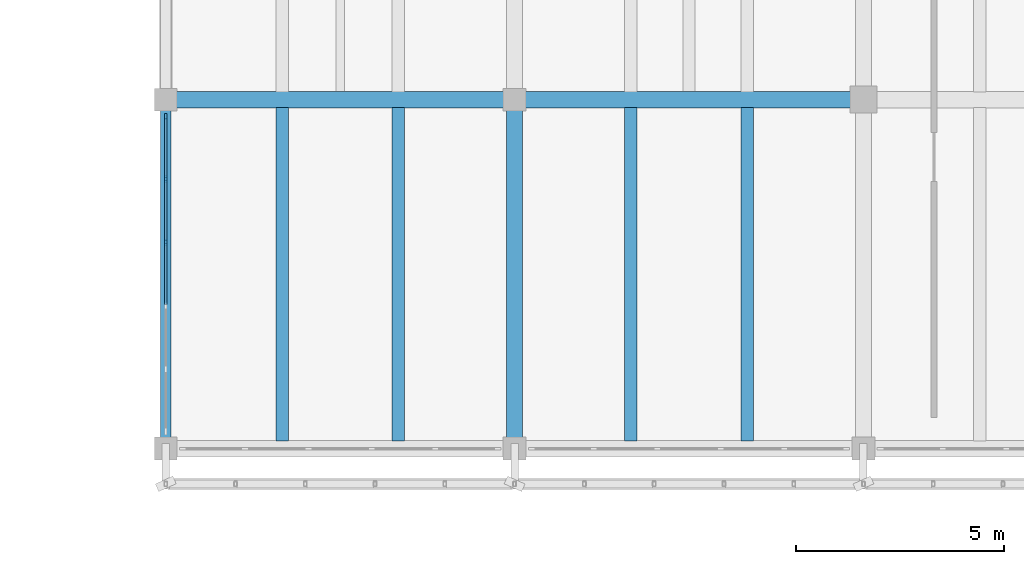
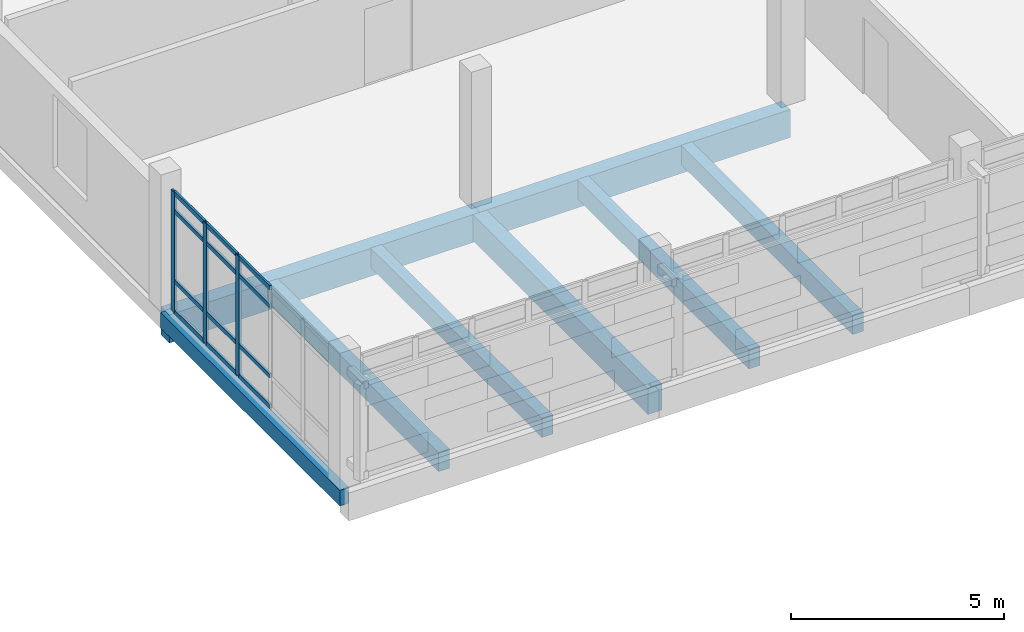
# One storey, part 42 of 117: 15 members, 8 beams, 1 element without a shape of its own.
"""IFC4 building model written with IfcOpenShell, lengths in metres."""

from ifc_helpers import new_model, si_unit, direction, frame, origin, origin_2d, place, context, subcontext, project, spatial, rectangle, extrude, material, material_profile, profile_set, type_object, element, aggregate, save


model = new_model("IFC4")

# Units and contexts
model_context = context("Model", 3, precision=1e-05, world=origin(), true_north=direction((0.0, 1.0)))
body_context = subcontext(model_context, "Body", "Model", "MODEL_VIEW")
ifc_project = project(units=[si_unit("LENGTHUNIT", "METRE"), si_unit("AREAUNIT", "SQUARE_METRE"), si_unit("VOLUMEUNIT", "CUBIC_METRE"), si_unit("PLANEANGLEUNIT", "RADIAN"), si_unit("MASSUNIT", "GRAM", prefix="KILO")], contexts=[model_context])

# Site, building, storey
site_placement = place(None, origin())
site = spatial("IfcSite", under=ifc_project, at=site_placement, CompositionType="ELEMENT")
building_placement = place(site_placement, origin())
building = spatial("IfcBuilding", under=site, at=building_placement, Name="Cinderway Yard Community Centre", CompositionType="ELEMENT")
storey_placement = place(building_placement, frame((0.0, 0.0, 9.0)))
storey = spatial("IfcBuildingStorey", under=building, at=storey_placement, Name="L02", CompositionType="ELEMENT", Elevation=9.0)

# Curtain wall, members
ifc_material_1 = material(Name="Aluminium 6063-T6", Category="aluminium")
curtain_wall_type = type_object("IfcCurtainWallType", Name="ENV-CW-TYPE-29", PredefinedType="USERDEFINED", material=ifc_material_1)
curtain_wall_placement = place(storey_placement, origin())
curtain_wall = element("IfcCurtainWall", 1, at=curtain_wall_placement, inside=storey, type_object=curtain_wall_type, Name="V4 West End Curtain Wall ENV-CW-L02-ST-0159", ObjectType="GLAZED CURTAIN WALL", PredefinedType="USERDEFINED")
ifc_material_profile_1 = material_profile(ifc_material_1, rectangle(XDim=0.06005859375, YDim=0.159912109375, at=origin_2d()), Name="Aluminium 6063-T6")
ifc_profile_set_1 = profile_set([ifc_material_profile_1], Name="Aluminium 6063-T6")
member_type_1 = type_object("IfcMemberType", Name="ENV-CW-MULL-150", PredefinedType="MULLION", material=ifc_profile_set_1)
member_1_placement = place(storey_placement, frame((41.60009765625, 94.964111328125, 0.0), z_axis=(0.0, 0.0, 1.0), x_axis=(-1.0, 0.0, 0.0)))
member_1 = element("IfcMember", 2, at=member_1_placement, type_object=member_type_1, Name="CW-29 mullion 4", PredefinedType="MULLION", context=body_context, shape_type="SweptSolid", body=[
    extrude(rectangle(XDim=0.06005859375, YDim=0.159912109375, at=origin_2d()), origin(), (0.0, 0.0, 1.0), 3.449951171875),
])
member_2_placement = place(storey_placement, frame((41.60009765625, 96.491943359375, 0.0), z_axis=(0.0, 0.0, 1.0), x_axis=(-1.0, 0.0, 0.0)))
member_2 = element("IfcMember", 3, at=member_2_placement, type_object=member_type_1, Name="CW-29 mullion 5", PredefinedType="MULLION", context=body_context, shape_type="SweptSolid", body=[
    extrude(rectangle(XDim=0.06005859375, YDim=0.159912109375, at=origin_2d()), origin(), (0.0, 0.0, 1.0), 3.449951171875),
])
member_3_placement = place(storey_placement, frame((41.60009765625, 97.989990234375, 0.0), z_axis=(0.0, 0.0, 1.0), x_axis=(-1.0, 0.0, 0.0)))
member_3 = element("IfcMember", 4, at=member_3_placement, type_object=member_type_1, Name="CW-29 mullion 6", PredefinedType="MULLION", context=body_context, shape_type="SweptSolid", body=[
    extrude(rectangle(XDim=0.06005859375, YDim=0.159912109375, at=origin_2d()), origin(), (0.0, 0.0, 1.0), 3.449951171875),
])
ifc_material_profile_2 = material_profile(ifc_material_1, rectangle(XDim=0.06005859375, YDim=0.1201171875, at=origin_2d()), Name="Aluminium 6063-T6")
ifc_profile_set_2 = profile_set([ifc_material_profile_2], Name="Aluminium 6063-T6")
member_type_2 = type_object("IfcMemberType", Name="ENV-CW-TRAN-110", PredefinedType="USERDEFINED", material=ifc_profile_set_2)
member_4_placement = place(storey_placement, frame((41.60009765625, 93.466064453125, 0.030029296875), z_axis=(0.0, 1.0, 0.0), x_axis=(-1.0, 0.0, 0.0)))
member_4 = element("IfcMember", 5, at=member_4_placement, type_object=member_type_2, Name="CW-29 transom 3.1", ObjectType="TRANSOM", PredefinedType="USERDEFINED", context=body_context, shape_type="SweptSolid", body=[
    extrude(rectangle(XDim=0.06005859375, YDim=0.1201171875, at=origin_2d()), origin(), (0.0, 0.0, 1.0), 1.468017578125),
])
member_5_placement = place(storey_placement, frame((41.60009765625, 93.466064453125, 0.89990234375), z_axis=(0.0, 1.0, 0.0), x_axis=(-1.0, 0.0, 0.0)))
member_5 = element("IfcMember", 6, at=member_5_placement, type_object=member_type_2, Name="CW-29 transom 3.2", ObjectType="TRANSOM", PredefinedType="USERDEFINED", context=body_context, shape_type="SweptSolid", body=[
    extrude(rectangle(XDim=0.06005859375, YDim=0.1201171875, at=origin_2d()), origin(), (0.0, 0.0, 1.0), 1.468017578125),
])
member_6_placement = place(storey_placement, frame((41.60009765625, 93.466064453125, 2.89990234375), z_axis=(0.0, 1.0, 0.0), x_axis=(-1.0, 0.0, 0.0)))
member_6 = element("IfcMember", 7, at=member_6_placement, type_object=member_type_2, Name="CW-29 transom 3.3", ObjectType="TRANSOM", PredefinedType="USERDEFINED", context=body_context, shape_type="SweptSolid", body=[
    extrude(rectangle(XDim=0.06005859375, YDim=0.1201171875, at=origin_2d()), origin(), (0.0, 0.0, 1.0), 1.468017578125),
])
member_7_placement = place(storey_placement, frame((41.60009765625, 93.466064453125, 3.419921875), z_axis=(0.0, 1.0, 0.0), x_axis=(-1.0, 0.0, 0.0)))
member_7 = element("IfcMember", 8, at=member_7_placement, type_object=member_type_2, Name="CW-29 transom 3.4", ObjectType="TRANSOM", PredefinedType="USERDEFINED", context=body_context, shape_type="SweptSolid", body=[
    extrude(rectangle(XDim=0.06005859375, YDim=0.1201171875, at=origin_2d()), origin(), (0.0, 0.0, 1.0), 1.468017578125),
])
member_8_placement = place(storey_placement, frame((41.60009765625, 94.993896484375, 0.030029296875), z_axis=(0.0, 1.0, 0.0), x_axis=(-1.0, 0.0, 0.0)))
member_8 = element("IfcMember", 9, at=member_8_placement, type_object=member_type_2, Name="CW-29 transom 4.1", ObjectType="TRANSOM", PredefinedType="USERDEFINED", context=body_context, shape_type="SweptSolid", body=[
    extrude(rectangle(XDim=0.06005859375, YDim=0.1201171875, at=origin_2d()), origin(), (0.0, 0.0, 1.0), 1.468017578125),
])
member_9_placement = place(storey_placement, frame((41.60009765625, 94.993896484375, 0.89990234375), z_axis=(0.0, 1.0, 0.0), x_axis=(-1.0, 0.0, 0.0)))
member_9 = element("IfcMember", 10, at=member_9_placement, type_object=member_type_2, Name="CW-29 transom 4.2", ObjectType="TRANSOM", PredefinedType="USERDEFINED", context=body_context, shape_type="SweptSolid", body=[
    extrude(rectangle(XDim=0.06005859375, YDim=0.1201171875, at=origin_2d()), origin(), (0.0, 0.0, 1.0), 1.468017578125),
])
member_10_placement = place(storey_placement, frame((41.60009765625, 94.993896484375, 2.89990234375), z_axis=(0.0, 1.0, 0.0), x_axis=(-1.0, 0.0, 0.0)))
member_10 = element("IfcMember", 11, at=member_10_placement, type_object=member_type_2, Name="CW-29 transom 4.3", ObjectType="TRANSOM", PredefinedType="USERDEFINED", context=body_context, shape_type="SweptSolid", body=[
    extrude(rectangle(XDim=0.06005859375, YDim=0.1201171875, at=origin_2d()), origin(), (0.0, 0.0, 1.0), 1.468017578125),
])
member_11_placement = place(storey_placement, frame((41.60009765625, 94.993896484375, 3.419921875), z_axis=(0.0, 1.0, 0.0), x_axis=(-1.0, 0.0, 0.0)))
member_11 = element("IfcMember", 12, at=member_11_placement, type_object=member_type_2, Name="CW-29 transom 4.4", ObjectType="TRANSOM", PredefinedType="USERDEFINED", context=body_context, shape_type="SweptSolid", body=[
    extrude(rectangle(XDim=0.06005859375, YDim=0.1201171875, at=origin_2d()), origin(), (0.0, 0.0, 1.0), 1.468017578125),
])
member_12_placement = place(storey_placement, frame((41.60009765625, 96.52197265625, 0.030029296875), z_axis=(0.0, 1.0, 0.0), x_axis=(-1.0, 0.0, 0.0)))
member_12 = element("IfcMember", 13, at=member_12_placement, type_object=member_type_2, Name="CW-29 transom 5.1", ObjectType="TRANSOM", PredefinedType="USERDEFINED", context=body_context, shape_type="SweptSolid", body=[
    extrude(rectangle(XDim=0.06005859375, YDim=0.1201171875, at=origin_2d()), origin(), (0.0, 0.0, 1.0), 1.43798828125),
])
member_13_placement = place(storey_placement, frame((41.60009765625, 96.52197265625, 0.89990234375), z_axis=(0.0, 1.0, 0.0), x_axis=(-1.0, 0.0, 0.0)))
member_13 = element("IfcMember", 14, at=member_13_placement, type_object=member_type_2, Name="CW-29 transom 5.2", ObjectType="TRANSOM", PredefinedType="USERDEFINED", context=body_context, shape_type="SweptSolid", body=[
    extrude(rectangle(XDim=0.06005859375, YDim=0.1201171875, at=origin_2d()), origin(), (0.0, 0.0, 1.0), 1.43798828125),
])
member_14_placement = place(storey_placement, frame((41.60009765625, 96.52197265625, 2.89990234375), z_axis=(0.0, 1.0, 0.0), x_axis=(-1.0, 0.0, 0.0)))
member_14 = element("IfcMember", 15, at=member_14_placement, type_object=member_type_2, Name="CW-29 transom 5.3", ObjectType="TRANSOM", PredefinedType="USERDEFINED", context=body_context, shape_type="SweptSolid", body=[
    extrude(rectangle(XDim=0.06005859375, YDim=0.1201171875, at=origin_2d()), origin(), (0.0, 0.0, 1.0), 1.43798828125),
])
member_15_placement = place(storey_placement, frame((41.60009765625, 96.52197265625, 3.419921875), z_axis=(0.0, 1.0, 0.0), x_axis=(-1.0, 0.0, 0.0)))
member_15 = element("IfcMember", 16, at=member_15_placement, type_object=member_type_2, Name="CW-29 transom 5.4", ObjectType="TRANSOM", PredefinedType="USERDEFINED", context=body_context, shape_type="SweptSolid", body=[
    extrude(rectangle(XDim=0.06005859375, YDim=0.1201171875, at=origin_2d()), origin(), (0.0, 0.0, 1.0), 1.43798828125),
])
aggregate(curtain_wall, [member_1, member_2, member_3, member_4, member_5, member_6, member_7, member_8, member_9, member_10, member_11, member_12, member_13, member_14, member_15])

# Beams
ifc_material_2 = material(Name="Concrete C40/50", Category="concrete")
ifc_material_profile_3 = material_profile(ifc_material_2, rectangle(XDim=0.25, YDim=0.449951171875, at=origin_2d()), Name="Concrete C40/50")
ifc_profile_set_3 = profile_set([ifc_material_profile_3], Name="Concrete C40/50")
beam_type_1 = type_object("IfcBeamType", Name="STR-BM-RC250X450", PredefinedType="SPANDREL", material=ifc_profile_set_3)
beam_1_placement = place(storey_placement, frame((41.60009765625, 90.0, -0.465087890625), z_axis=(0.0, 1.0, 0.0), x_axis=(-1.0, 0.0, 0.0)))
element("IfcBeam", 17, at=beam_1_placement, inside=storey, type_object=beam_type_1, Name="Transverse girder STR-BM-L02-SP02-0544", PredefinedType="SPANDREL", context=body_context, shape_type="SweptSolid", body=[
    extrude(rectangle(XDim=0.25, YDim=0.449951171875, at=origin_2d()), origin(), (0.0, 0.0, 1.0), 8.39990234375),
])
ifc_material_3 = material(Name="Concrete C35/45", Category="concrete")
ifc_material_profile_4 = material_profile(ifc_material_3, rectangle(XDim=0.300048828125, YDim=0.550048828125, at=origin_2d()), Name="Concrete C35/45")
ifc_profile_set_4 = profile_set([ifc_material_profile_4], Name="Concrete C35/45")
beam_type_2 = type_object("IfcBeamType", Name="STR-BM-RC300X550", PredefinedType="JOIST", material=ifc_profile_set_4)
for number, where, z_axis, x_axis, name in (
    (18, (44.39990234375, 90.181884765625, -0.514892578125), (0.0, 1.0, 0.0), (-1.0, 0.0, 0.0), "Secondary joist STR-BM-L02-BJ03-0583"),
    (19, (47.199951171875, 90.181884765625, -0.514892578125), (0.0, 1.0, 0.0), (-1.0, 0.0, 0.0), "Secondary joist STR-BM-L02-BJ03-0584"),
    (20, (52.800048828125, 90.181884765625, -0.514892578125), (0.0, 1.0, 0.0), (-1.0, 0.0, 0.0), "Secondary joist STR-BM-L02-BJ03-0589"),
    (21, (55.60009765625, 90.181884765625, -0.514892578125), (0.0, 1.0, 0.0), (-1.0, 0.0, 0.0), "Secondary joist STR-BM-L02-BJ03-0590"),
):
    element("IfcBeam", number, at=place(storey_placement, frame(where, z_axis=z_axis, x_axis=x_axis)), inside=storey, type_object=beam_type_2, Name=name, PredefinedType="JOIST", context=body_context, shape_type="SweptSolid", body=[
        extrude(rectangle(XDim=0.300048828125, YDim=0.550048828125, at=origin_2d()), origin(), (0.0, 0.0, 1.0), 8.0361328125),
    ])
ifc_material_profile_5 = material_profile(ifc_material_3, rectangle(XDim=0.3798828125, YDim=0.75, at=origin_2d()), Name="Concrete C35/45")
ifc_profile_set_5 = profile_set([ifc_material_profile_5], Name="Concrete C35/45")
beam_type_3 = type_object("IfcBeamType", Name="STR-BM-RC380X750", PredefinedType="BEAM", material=ifc_profile_set_5)
beam_2_placement = place(storey_placement, frame((50.0, 90.0, -0.614990234375), z_axis=(0.0, 1.0, 0.0), x_axis=(-1.0, 0.0, 0.0)))
element("IfcBeam", 22, at=beam_2_placement, inside=storey, type_object=beam_type_3, Name="Transverse girder STR-BM-L02-BG06-0547", PredefinedType="BEAM", context=body_context, shape_type="SweptSolid", body=[
    extrude(rectangle(XDim=0.3798828125, YDim=0.75, at=origin_2d()), origin(), (0.0, 0.0, 1.0), 8.39990234375),
])
ifc_material_profile_6 = material_profile(ifc_material_2, rectangle(XDim=0.39990234375, YDim=0.800048828125, at=origin_2d()), Name="Concrete C40/50")
ifc_profile_set_6 = profile_set([ifc_material_profile_6], Name="Concrete C40/50")
beam_type_4 = type_object("IfcBeamType", Name="STR-BM-RC400X800", PredefinedType="BEAM", material=ifc_profile_set_6)
for number, where, z_axis, x_axis, name in (
    (23, (41.60009765625, 98.39990234375, -0.639892578125), (1.0, 0.0, 0.0), (0.0, 1.0, 0.0), "Primary girder STR-BM-L02-BG05-0508"),
    (24, (50.0, 98.39990234375, -0.639892578125), (1.0, 0.0, 0.0), (0.0, 1.0, 0.0), "Primary girder STR-BM-L02-BG05-0509"),
):
    element("IfcBeam", number, at=place(storey_placement, frame(where, z_axis=z_axis, x_axis=x_axis)), inside=storey, type_object=beam_type_4, Name=name, PredefinedType="BEAM", context=body_context, shape_type="SweptSolid", body=[
        extrude(rectangle(XDim=0.39990234375, YDim=0.800048828125, at=origin_2d()), origin(), (0.0, 0.0, 1.0), 8.39990234375),
    ])

save(model, "model.ifc")
